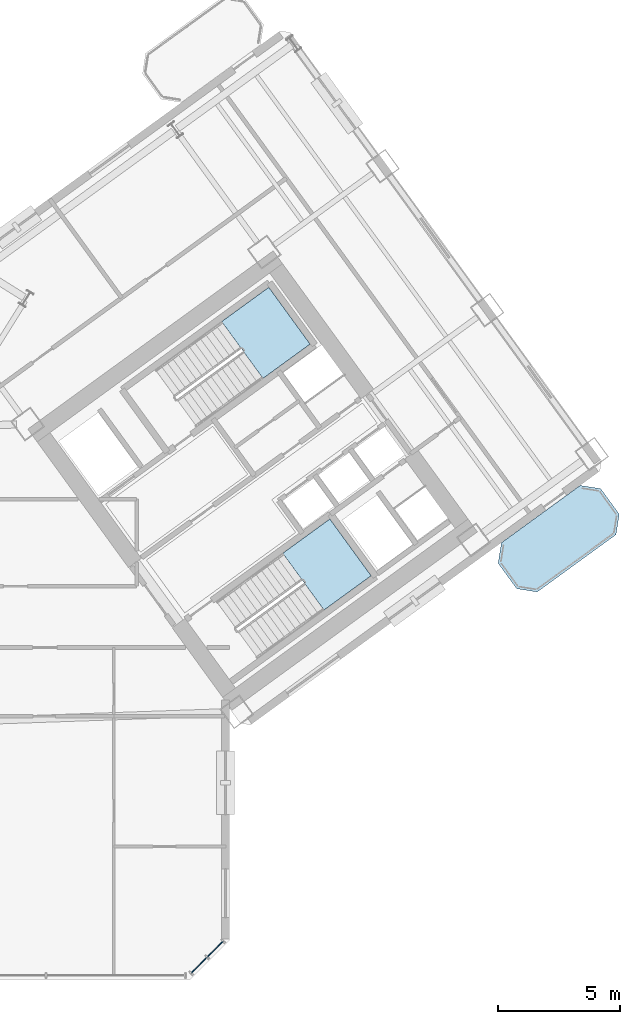
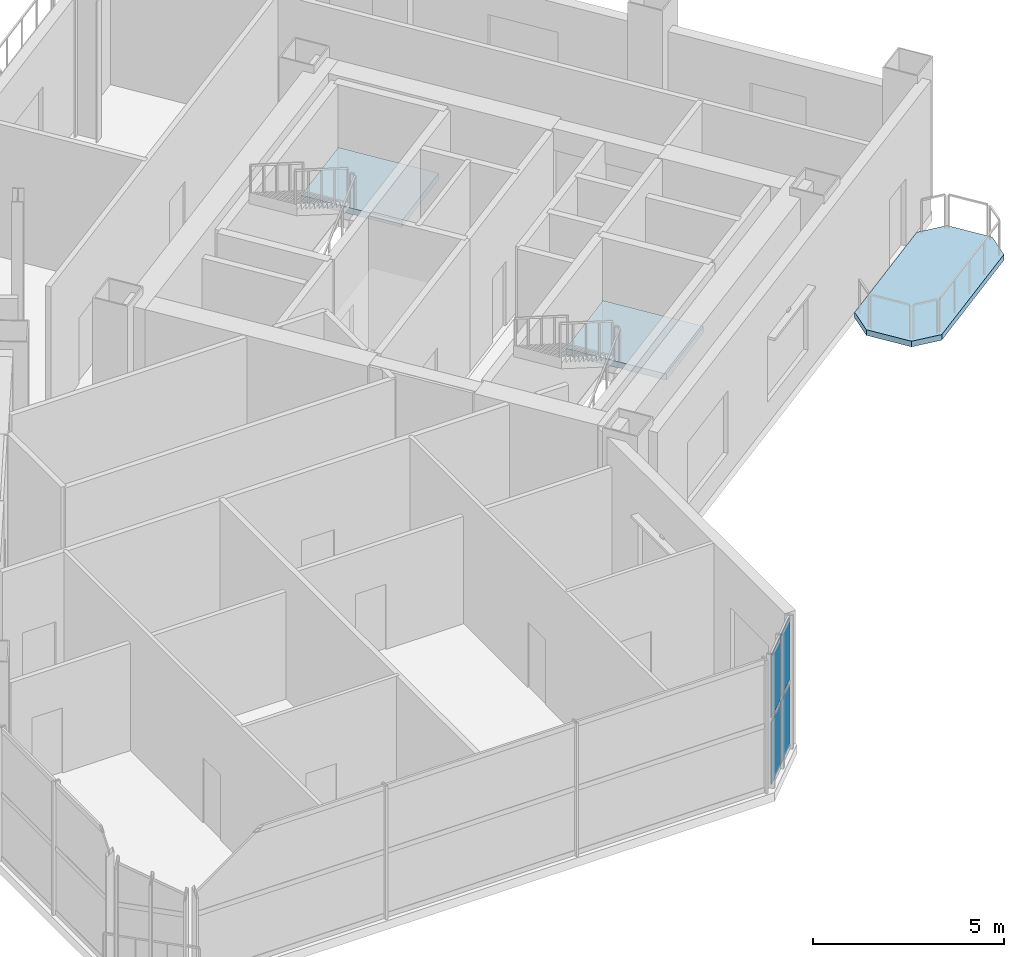
# One storey, part 10 of 19: 4 plates, 3 slabs, 3 elements without a shape of their own.
"""IFC4 building model written with IfcOpenShell, lengths in metres."""

from ifc_helpers import new_model, si_unit, direction, frame, origin, origin_2d, place, context, subcontext, project, spatial, polyline, rectangle, outline, extrude, source, transform, mapped, material, layer, layer_set, type_object, element, aggregate, save


model = new_model("IFC4")

# Units and contexts
model_context = context("Model", 3, precision=1e-05, world=origin(), true_north=direction((0.0, 1.0)))
body_context = subcontext(model_context, "Body", "Model", "MODEL_VIEW")
ifc_project = project(units=[si_unit("LENGTHUNIT", "METRE"), si_unit("AREAUNIT", "SQUARE_METRE"), si_unit("VOLUMEUNIT", "CUBIC_METRE"), si_unit("PLANEANGLEUNIT", "RADIAN"), si_unit("MASSUNIT", "GRAM", prefix="KILO")], contexts=[model_context])

# Site, building, storey
site_placement = place(None, origin())
site = spatial("IfcSite", under=ifc_project, at=site_placement, CompositionType="ELEMENT")
building_placement = place(site_placement, origin())
building = spatial("IfcBuilding", under=site, at=building_placement, Name="Tlacorven Tower", CompositionType="ELEMENT")
storey_placement = place(building_placement, frame((0.0, 0.0, 76.5)))
storey = spatial("IfcBuildingStorey", under=building, at=storey_placement, Name="L19", CompositionType="ELEMENT", Elevation=76.5)

# Slab
ifc_material_1 = material(Name="Precast concrete C45/55", Category="concrete")
ifc_layer_1 = layer(ifc_material_1, 0.179931640625)
ifc_layer_set_1 = layer_set([ifc_layer_1], Name="Precast concrete C45/55")
slab_type_1 = type_object("IfcSlabType", Name="SL-BAL-180", PredefinedType="USERDEFINED", material=ifc_layer_set_1)
slab_1_placement = place(storey_placement, frame((0.0, 0.0, -0.179931640625)))
element("IfcSlab", 1, at=slab_1_placement, inside=storey, type_object=slab_type_1, Name="L19 East Wing Balcony Ribbon OUT", ObjectType="BALCONY SLAB", PredefinedType="USERDEFINED", context=body_context, shape_type="SweptSolid", body=[
    extrude(outline(polyline([(65.025634765625, 17.69482421875), (68.26171875, 20.046142578125), (68.394287109375, 20.884033203125), (67.633056640625, 21.931884765625), (66.795166015625, 22.064453125), (63.55908203125, 19.71337890625), (63.42626953125, 18.875244140625), (64.1875, 17.82763671875), (65.025634765625, 17.69482421875)])), origin(), (0.0, 0.0, 1.0), 0.179931640625),
])

# Stair, slab
ifc_material_2 = material(Name="Concrete C40/50", Category="concrete")
stair_type = type_object("IfcStairType", Name="ST-CORE-DLG", PredefinedType="HALF_TURN_STAIR", material=ifc_material_2)
stair_1_placement = place(storey_placement, origin())
stair_1 = element("IfcStair", 2, at=stair_1_placement, inside=storey, type_object=stair_type, Name="L19 Protected Exit Stair East 1", PredefinedType="HALF_TURN_STAIR")
ifc_layer_2 = layer(ifc_material_2, 0.199951171875)
ifc_layer_set_2 = layer_set([ifc_layer_2], Name="Concrete C40/50")
slab_type_2 = type_object("IfcSlabType", Name="SL-LND-200", PredefinedType="LANDING", material=ifc_layer_set_2)
slab_2_placement = place(storey_placement, frame((0.0, 0.0, 2.050048828125)))
slab_2 = element("IfcSlab", 3, at=slab_2_placement, type_object=slab_type_2, Name="ST-E1 landing 1", PredefinedType="LANDING", context=body_context, shape_type="SweptSolid", body=[
    extrude(outline(polyline([(53.77734375, 26.456787109375), (55.7109375, 27.861572265625), (54.01806640625, 30.19140625), (52.08447265625, 28.78662109375), (53.77734375, 26.456787109375)])), origin(), (0.0, 0.0, 1.0), 0.199951171875),
])
aggregate(stair_1, [slab_2])

stair_2_placement = place(storey_placement, origin())
stair_2 = element("IfcStair", 4, at=stair_2_placement, inside=storey, type_object=stair_type, Name="L19 Protected Exit Stair East 2", PredefinedType="HALF_TURN_STAIR")
slab_3_placement = place(storey_placement, frame((0.0, 0.0, 2.050048828125)))
slab_3 = element("IfcSlab", 5, at=slab_3_placement, type_object=slab_type_2, Name="ST-E2 landing 1", PredefinedType="LANDING", context=body_context, shape_type="SweptSolid", body=[
    extrude(outline(polyline([(56.28125, 16.95361328125), (58.21484375, 18.3583984375), (56.52197265625, 20.6884765625), (54.58837890625, 19.283447265625), (56.28125, 16.95361328125)])), origin(), (0.0, 0.0, 1.0), 0.199951171875),
])
aggregate(stair_2, [slab_3])

# Curtain wall, plates
ifc_material_3 = material(Name="Dark solar low-E double glazing in aluminium frame", Category="aluminium")
curtain_wall_type = type_object("IfcCurtainWallType", Name="CW-COM-AMENITY", PredefinedType="USERDEFINED", material=ifc_material_3)
curtain_wall_placement = place(storey_placement, origin())
curtain_wall = element("IfcCurtainWall", 6, at=curtain_wall_placement, inside=storey, type_object=curtain_wall_type, Name="L19 CW-COM-AMENITY Curtain Wall 103", ObjectType="UNITISED CURTAIN WALL", PredefinedType="USERDEFINED")
ifc_material_4 = material(Name="Dark solar acoustic laminated low-E glazing", Category="glass")
ifc_layer_3 = layer(ifc_material_4, 0.035888671875)
ifc_layer_set_3 = layer_set([ifc_layer_3], Name="Dark solar acoustic laminated low-E glazing")
plate_type = type_object("IfcPlateType", Name="CWP-01", PredefinedType="CURTAIN_PANEL", material=ifc_layer_set_3)
shared_shape = source(origin(), body_context, "Body", "SweptSolid", [
    extrude(rectangle(XDim=0.878173828125, YDim=0.035888671875, at=origin_2d()), origin(), (0.0, 0.0, 1.0), 1.98291015625),
])
plate_1_placement = place(storey_placement, frame((51.815673828125, 3.0419921875, 0.071044921875), z_axis=(0.0, 0.0, 1.0), x_axis=(-0.707106781187, -0.707106781187, 0.0)))
plate_1 = element("IfcPlate", 7, at=plate_1_placement, type_object=plate_type, Name="CW-L19-103 Glazing Panel 1", PredefinedType="CURTAIN_PANEL", context=body_context, shape_type="MappedRepresentation", body=[
    mapped(shared_shape, transform((0.0, 0.0, 0.0), scale=1.0)),
])
plate_2_placement = place(storey_placement, frame((51.815673828125, 3.0419921875, 2.196044921875), z_axis=(0.0, 0.0, 1.0), x_axis=(-0.707106781187, -0.707106781187, 0.0)))
plate_2 = element("IfcPlate", 8, at=plate_2_placement, type_object=plate_type, Name="CW-L19-103 Glazing Panel 2", PredefinedType="CURTAIN_PANEL", context=body_context, shape_type="MappedRepresentation", body=[
    mapped(shared_shape, transform((0.0, 0.0, 0.0), scale=1.0)),
])
plate_3_placement = place(storey_placement, frame((51.157958984375, 2.38427734375, 0.071044921875), z_axis=(0.0, 0.0, 1.0), x_axis=(-0.707106781187, -0.707106781187, 0.0)))
plate_3 = element("IfcPlate", 9, at=plate_3_placement, type_object=plate_type, Name="CW-L19-103 Glazing Panel 3", PredefinedType="CURTAIN_PANEL", context=body_context, shape_type="MappedRepresentation", body=[
    mapped(shared_shape, transform((0.0, 0.0, 0.0), scale=1.0)),
])
plate_4_placement = place(storey_placement, frame((51.157958984375, 2.38427734375, 2.196044921875), z_axis=(0.0, 0.0, 1.0), x_axis=(-0.707106781187, -0.707106781187, 0.0)))
plate_4 = element("IfcPlate", 10, at=plate_4_placement, type_object=plate_type, Name="CW-L19-103 Glazing Panel 4", PredefinedType="CURTAIN_PANEL", context=body_context, shape_type="MappedRepresentation", body=[
    mapped(shared_shape, transform((0.0, 0.0, 0.0), scale=1.0)),
])
aggregate(curtain_wall, [plate_1, plate_2, plate_3, plate_4])

save(model, "model.ifc")
